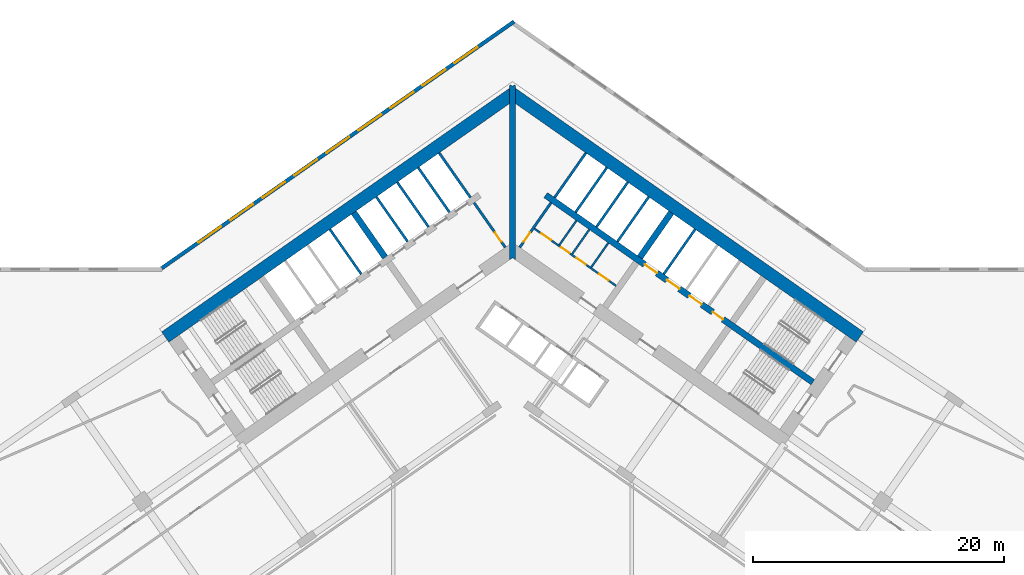
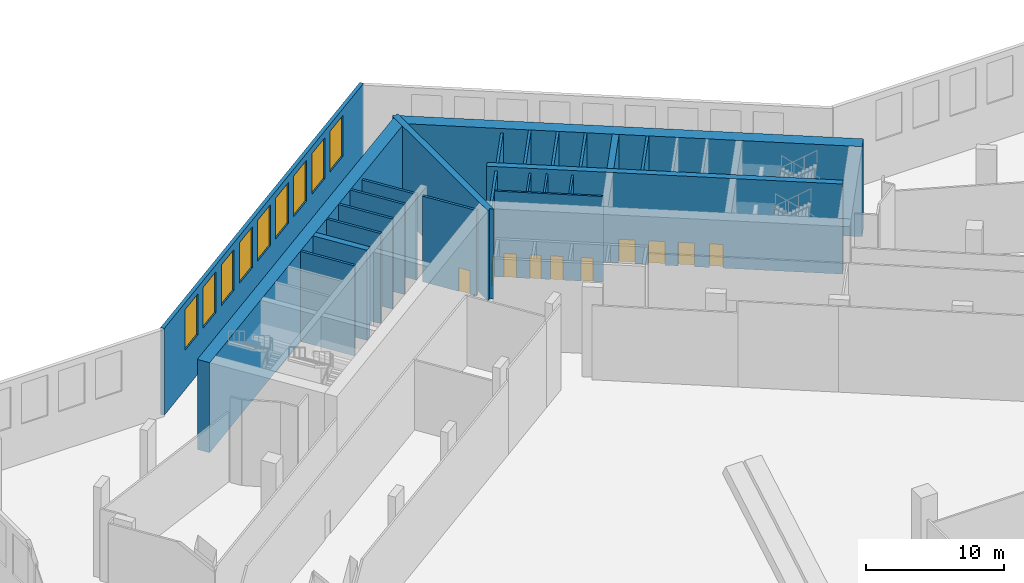
# One storey, part 11 of 27: 23 walls, 10 doors, 9 windows, 19 openings.
"""IFC4 building model written with IfcOpenShell, lengths in metres."""

from ifc_helpers import new_model, si_unit, direction, frame, frame_2d, origin, place, context, subcontext, project, spatial, polyline, rectangle, outline, extrude, material, layer, layer_set, type_object, element, fill, save


model = new_model("IFC4")

# Units and contexts
model_context = context("Model", 3, precision=1e-05, world=origin(), true_north=direction((0.0, 1.0)))
body_context = subcontext(model_context, "Body", "Model", "MODEL_VIEW")
ifc_project = project(units=[si_unit("LENGTHUNIT", "METRE"), si_unit("AREAUNIT", "SQUARE_METRE"), si_unit("VOLUMEUNIT", "CUBIC_METRE"), si_unit("PLANEANGLEUNIT", "RADIAN"), si_unit("MASSUNIT", "GRAM", prefix="KILO")], contexts=[model_context])

# Site, building, storey
site_placement = place(None, origin())
site = spatial("IfcSite", under=ifc_project, at=site_placement, CompositionType="ELEMENT")
building_placement = place(site_placement, origin())
building = spatial("IfcBuilding", under=site, at=building_placement, Name="Tel Ilan Convention Tower", CompositionType="ELEMENT")
storey_placement = place(building_placement, frame((0.0, 0.0, 18.0)))
storey = spatial("IfcBuildingStorey", under=building, at=storey_placement, Name="L02", CompositionType="ELEMENT", Elevation=18.0)

# Wall, openings, doors
ifc_material_1 = material(Name="Gypsum Plasterboard on Steel Stud", Category="steel")
ifc_layer_1 = layer(ifc_material_1, 0.14990234375)
ifc_layer_set_1 = layer_set([ifc_layer_1], Name="Core Room Partition Wall 150 mm EI 60")
wall_type_1 = type_object("IfcWallType", Name="Core Room Partition Wall 150 mm EI 60", PredefinedType="PARTITIONING", material=ifc_layer_set_1)
wall_1_placement = place(storey_placement, frame((1.7451171875, 1.097412109375, 0.0), z_axis=(0.0, 0.0, 1.0), x_axis=(0.819156890572, -0.573569515079, 0.0)))
wall_1 = element("IfcWall", 1, at=wall_1_placement, inside=storey, type_object=wall_type_1, Name="L02 core wall wc-h1", PredefinedType="PARTITIONING", context=body_context, shape_type="SweptSolid", body=[
    extrude(rectangle(XDim=7.949951171875, YDim=0.14990234375, at=frame_2d((3.97509765625, 0.0))), origin(), (0.0, 0.0, 1.0), 7.60009765625),
])
opening_1_placement = place(wall_1_placement, frame((0.699951171875, 0.0, 0.0)))
opening_1 = element("IfcOpeningElement", 2, at=opening_1_placement, cuts=wall_1, Name="Opening CD0510", PredefinedType="OPENING", context=body_context, shape_type="SweptSolid", body=[
    extrude(rectangle(XDim=0.89990234375, YDim=2.10009765625, at=frame_2d((0.449951171875, 1.050048828125))), frame((0.0, 0.0849609375, 0.0), z_axis=(0.0, -1.0, 0.0), x_axis=(1.0, 0.0, 0.0)), (0.0, 0.0, 1.0), 0.169921875),
])
opening_2_placement = place(wall_1_placement, frame((2.60009765625, 0.0, 0.0)))
opening_2 = element("IfcOpeningElement", 3, at=opening_2_placement, cuts=wall_1, Name="Opening CD0509", PredefinedType="OPENING", context=body_context, shape_type="SweptSolid", body=[
    extrude(rectangle(XDim=0.800048828125, YDim=2.10009765625, at=frame_2d((0.39990234375, 1.050048828125))), frame((0.0, 0.0849609375, 0.0), z_axis=(0.0, -1.0, 0.0), x_axis=(1.0, 0.0, 0.0)), (0.0, 0.0, 1.0), 0.169921875),
])
opening_3_placement = place(wall_1_placement, frame((4.10009765625, 0.0, 0.0)))
opening_3 = element("IfcOpeningElement", 4, at=opening_3_placement, cuts=wall_1, Name="Opening CD0508", PredefinedType="OPENING", context=body_context, shape_type="SweptSolid", body=[
    extrude(rectangle(XDim=0.89990234375, YDim=2.10009765625, at=frame_2d((0.449951171875, 1.050048828125))), frame((0.0, 0.0849609375, 0.0), z_axis=(0.0, -1.0, 0.0), x_axis=(1.0, 0.0, 0.0)), (0.0, 0.0, 1.0), 0.169921875),
])
opening_4_placement = place(wall_1_placement, frame((6.300048828125, 0.0, 0.0)))
opening_4 = element("IfcOpeningElement", 5, at=opening_4_placement, cuts=wall_1, Name="Opening CD0511", PredefinedType="OPENING", context=body_context, shape_type="SweptSolid", body=[
    extrude(rectangle(XDim=0.89990234375, YDim=2.10009765625, at=frame_2d((0.449951171875, 1.050048828125))), frame((0.0, 0.0849609375, 0.0), z_axis=(0.0, -1.0, 0.0), x_axis=(1.0, 0.0, 0.0)), (0.0, 0.0, 1.0), 0.169921875),
])
ifc_material_2 = material(Name="Galvanised Steel Door Leaf", Category="steel")
door_type_1 = type_object("IfcDoorType", Name="Store Door 800 x 2100 FD60", OperationType="NOTDEFINED", PredefinedType="DOOR", material=ifc_material_2)
door_1_placement = place(opening_2_placement, origin())
door_1 = element("IfcDoor", 6, at=door_1_placement, inside=storey, type_object=door_type_1, Name="Cleaner's store door", OperationType="SINGLE_SWING_RIGHT", OverallHeight=2.10009765625, OverallWidth=0.800048828125, PredefinedType="DOOR", context=body_context, shape_type="SweptSolid", body=[
    extrude(rectangle(XDim=0.800048828125, YDim=2.10009765625, at=frame_2d((0.39990234375, 1.050048828125))), frame((0.0, 0.02490234375, 0.0), z_axis=(0.0, -1.0, 0.0), x_axis=(1.0, 0.0, 0.0)), (0.0, 0.0, 1.0), 0.050048828125),
])
fill(opening_2, door_1)
ifc_material_3 = material(Name="Laminated Timber Door Leaf", Category="wood")
door_type_2 = type_object("IfcDoorType", Name="Toilet Door 900 x 2100 FD30S", OperationType="NOTDEFINED", PredefinedType="DOOR", material=ifc_material_3)
door_2_placement = place(opening_1_placement, origin())
door_2 = element("IfcDoor", 7, at=door_2_placement, inside=storey, type_object=door_type_2, Name="Men's WC door", OperationType="SINGLE_SWING_RIGHT", OverallHeight=2.10009765625, OverallWidth=0.89990234375, PredefinedType="DOOR", context=body_context, shape_type="SweptSolid", body=[
    extrude(rectangle(XDim=0.89990234375, YDim=2.10009765625, at=frame_2d((0.449951171875, 1.050048828125))), frame((0.0, 0.02490234375, 0.0), z_axis=(0.0, -1.0, 0.0), x_axis=(1.0, 0.0, 0.0)), (0.0, 0.0, 1.0), 0.050048828125),
])
fill(opening_1, door_2)
door_3_placement = place(opening_3_placement, origin())
door_3 = element("IfcDoor", 8, at=door_3_placement, inside=storey, type_object=door_type_2, Name="Accessible WC door", OperationType="SINGLE_SWING_RIGHT", OverallHeight=2.10009765625, OverallWidth=0.89990234375, PredefinedType="DOOR", context=body_context, shape_type="SweptSolid", body=[
    extrude(rectangle(XDim=0.89990234375, YDim=2.10009765625, at=frame_2d((0.449951171875, 1.050048828125))), frame((0.0, 0.02490234375, 0.0), z_axis=(0.0, -1.0, 0.0), x_axis=(1.0, 0.0, 0.0)), (0.0, 0.0, 1.0), 0.050048828125),
])
fill(opening_3, door_3)
door_4_placement = place(opening_4_placement, origin())
door_4 = element("IfcDoor", 9, at=door_4_placement, inside=storey, type_object=door_type_2, Name="Women's WC door", OperationType="SINGLE_SWING_RIGHT", OverallHeight=2.10009765625, OverallWidth=0.89990234375, PredefinedType="DOOR", context=body_context, shape_type="SweptSolid", body=[
    extrude(rectangle(XDim=0.89990234375, YDim=2.10009765625, at=frame_2d((0.449951171875, 1.050048828125))), frame((0.0, 0.02490234375, 0.0), z_axis=(0.0, -1.0, 0.0), x_axis=(1.0, 0.0, 0.0)), (0.0, 0.0, 1.0), 0.050048828125),
])
fill(opening_4, door_4)

# Walls
for number, where, z_axis, x_axis, name in (
    (10, (3.733642578125, -0.203369140625, 0.0), (0.0, 0.0, 1.0), (0.573579618003, 0.819149816463, 0.0), "L02 core wall wc-v0"),
    (11, (4.757568359375, -0.92041015625, 0.0), (0.0, 0.0, 1.0), (0.573579618003, 0.819149816463, 0.0), "L02 core wall wc-v1"),
    (12, (6.27294921875, -1.9814453125, 0.0), (0.0, 0.0, 1.0), (0.573579618003, 0.819149816463, 0.0), "L02 core wall wc-v2"),
):
    element("IfcWall", number, at=place(storey_placement, frame(where, z_axis=z_axis, x_axis=x_axis)), inside=storey, type_object=wall_type_1, Name=name, PredefinedType="PARTITIONING", context=body_context, shape_type="SweptSolid", body=[
        extrude(rectangle(XDim=2.375, YDim=0.14990234375, at=frame_2d((1.1875, 0.0))), origin(), (0.0, 0.0, 1.0), 7.60009765625),
    ])

# Wall, opening, door
ifc_material_4 = material(Name="Concrete C30/37", Category="concrete")
ifc_layer_2 = layer(ifc_material_4, 0.199951171875)
ifc_layer_set_2 = layer_set([ifc_layer_2], Name="Core Service Room Wall 200 mm C30/37")
wall_type_2 = type_object("IfcWallType", Name="Core Service Room Wall 200 mm C30/37", PredefinedType="SOLIDWALL", material=ifc_layer_set_2)
wall_2_placement = place(storey_placement, frame((-0.573486328125, -0.401611328125, 0.0), z_axis=(0.0, 0.0, 1.0), x_axis=(-0.57356780395, 0.819158088694, 0.0)))
wall_2 = element("IfcWall", 13, at=wall_2_placement, inside=storey, type_object=wall_type_2, Name="L02 core wall apex-W", PredefinedType="SOLIDWALL", context=body_context, shape_type="SweptSolid", body=[
    extrude(rectangle(XDim=4.35009765625, YDim=0.199951171875, at=frame_2d((2.175048828125, 0.0))), origin(), (0.0, 0.0, 1.0), 7.60009765625),
])
opening_5_placement = place(wall_2_placement, frame((0.550048828125, 0.0, 0.0)))
opening_5 = element("IfcOpeningElement", 14, at=opening_5_placement, cuts=wall_2, Name="Opening CD0502", PredefinedType="OPENING", context=body_context, shape_type="SweptSolid", body=[
    extrude(rectangle(XDim=0.89990234375, YDim=2.10009765625, at=frame_2d((0.449951171875, 1.050048828125))), frame((0.0, 0.10986328125, 0.0), z_axis=(0.0, -1.0, 0.0), x_axis=(1.0, 0.0, 0.0)), (0.0, 0.0, 1.0), 0.219970703125),
])
ifc_material_5 = material(Name="Galvanised Steel Door Leaf", Category="steel")
door_type_3 = type_object("IfcDoorType", Name="Service Room Door 900 x 2100 FD60", OperationType="NOTDEFINED", PredefinedType="DOOR", material=ifc_material_5)
door_5_placement = place(opening_5_placement, origin())
door_5 = element("IfcDoor", 15, at=door_5_placement, inside=storey, type_object=door_type_3, Name="Riser Room door", OperationType="SINGLE_SWING_RIGHT", OverallHeight=2.10009765625, OverallWidth=0.89990234375, PredefinedType="DOOR", context=body_context, shape_type="SweptSolid", body=[
    extrude(rectangle(XDim=0.89990234375, YDim=2.10009765625, at=frame_2d((0.449951171875, 1.050048828125))), frame((0.0, 0.02490234375, 0.0), z_axis=(0.0, -1.0, 0.0), x_axis=(1.0, 0.0, 0.0)), (0.0, 0.0, 1.0), 0.050048828125),
])
fill(opening_5, door_5)

# Wall
wall_3_placement = place(storey_placement, frame((-3.355224609375, 3.5712890625, 0.0), z_axis=(0.0, 0.0, 1.0), x_axis=(-0.57356780395, 0.819158088694, 0.0)))
element("IfcWall", 16, at=wall_3_placement, inside=storey, type_object=wall_type_2, Name="L02 core wall apex-W-b", PredefinedType="SOLIDWALL", context=body_context, shape_type="SweptSolid", body=[
    extrude(rectangle(XDim=4.35009765625, YDim=0.199951171875, at=frame_2d((2.175048828125, 0.0))), origin(), (0.0, 0.0, 1.0), 7.60009765625),
])

# Wall, opening, door
wall_4_placement = place(storey_placement, frame((0.573486328125, -0.401611328125, 0.0), z_axis=(0.0, 0.0, 1.0), x_axis=(0.57356780395, 0.819158088694, 0.0)))
wall_4 = element("IfcWall", 17, at=wall_4_placement, inside=storey, type_object=wall_type_2, Name="L02 core wall apex-E", PredefinedType="SOLIDWALL", context=body_context, shape_type="SweptSolid", body=[
    extrude(rectangle(XDim=4.35009765625, YDim=0.199951171875, at=frame_2d((2.175048828125, 0.0))), origin(), (0.0, 0.0, 1.0), 7.60009765625),
])
opening_6_placement = place(wall_4_placement, frame((0.550048828125, 0.0, 0.0)))
opening_6 = element("IfcOpeningElement", 18, at=opening_6_placement, cuts=wall_4, Name="Opening CD0501", PredefinedType="OPENING", context=body_context, shape_type="SweptSolid", body=[
    extrude(rectangle(XDim=0.89990234375, YDim=2.10009765625, at=frame_2d((0.449951171875, 1.050048828125))), frame((0.0, 0.10986328125, 0.0), z_axis=(0.0, -1.0, 0.0), x_axis=(1.0, 0.0, 0.0)), (0.0, 0.0, 1.0), 0.219970703125),
])
door_6_placement = place(opening_6_placement, origin())
door_6 = element("IfcDoor", 19, at=door_6_placement, inside=storey, type_object=door_type_3, Name="Electrical Room door", OperationType="SINGLE_SWING_RIGHT", OverallHeight=2.10009765625, OverallWidth=0.89990234375, PredefinedType="DOOR", context=body_context, shape_type="SweptSolid", body=[
    extrude(rectangle(XDim=0.89990234375, YDim=2.10009765625, at=frame_2d((0.449951171875, 1.050048828125))), frame((0.0, 0.02490234375, 0.0), z_axis=(0.0, -1.0, 0.0), x_axis=(1.0, 0.0, 0.0)), (0.0, 0.0, 1.0), 0.050048828125),
])
fill(opening_6, door_6)

# Walls
wall_5_placement = place(storey_placement, frame((3.355224609375, 3.5712890625, 0.0), z_axis=(0.0, 0.0, 1.0), x_axis=(0.57356780395, 0.819158088694, 0.0)))
element("IfcWall", 20, at=wall_5_placement, inside=storey, type_object=wall_type_2, Name="L02 core wall apex-E-b", PredefinedType="SOLIDWALL", context=body_context, shape_type="SweptSolid", body=[
    extrude(rectangle(XDim=4.35009765625, YDim=0.199951171875, at=frame_2d((2.175048828125, 0.0))), origin(), (0.0, 0.0, 1.0), 7.60009765625),
])
ifc_material_6 = material(Name="Concrete C60/75", Category="concrete")
ifc_layer_3 = layer(ifc_material_6, 1.0)
ifc_layer_set_3 = layer_set([ifc_layer_3], Name="Core Shear Wall 1000 mm C60/75")
wall_type_3 = type_object("IfcWallType", Name="Core Shear Wall 1000 mm C60/75", PredefinedType="SHEAR", material=ifc_layer_set_3)
wall_6_placement = place(storey_placement, frame((0.036865234375, 11.8671875, 0.0), z_axis=(0.0, 0.0, 1.0), x_axis=(-0.819155306259, -0.573571777746, 0.0)))
element("IfcWall", 21, at=wall_6_placement, inside=storey, type_object=wall_type_3, Name="L02 core wall W-back", PredefinedType="SHEAR", context=body_context, shape_type="SweptSolid", body=[
    extrude(outline(polyline([(33.8369140625, 0.5), (0.7001953125, 0.499755859375), (0.0, -0.5), (33.8369140625, -0.5), (33.8369140625, 0.5)])), origin(), (0.0, 0.0, 1.0), 8.0),
])
wall_7_placement = place(storey_placement, frame((-0.036865234375, 11.8671875, 0.0), z_axis=(0.0, 0.0, 1.0), x_axis=(0.819155306259, -0.573571777746, 0.0)))
element("IfcWall", 22, at=wall_7_placement, inside=storey, type_object=wall_type_3, Name="L02 core wall E-back", PredefinedType="SHEAR", context=body_context, shape_type="SweptSolid", body=[
    extrude(outline(polyline([(33.8369140625, 0.5), (0.0, 0.5), (0.7001953125, -0.499755859375), (33.8369140625, -0.5), (33.8369140625, 0.5)])), origin(), (0.0, 0.0, 1.0), 8.0),
])
ifc_material_7 = material(Name="Concrete C60/75", Category="concrete")
ifc_layer_4 = layer(ifc_material_7, 0.5)
ifc_layer_set_4 = layer_set([ifc_layer_4], Name="Core Shear Wall 500 mm C60/75")
wall_type_4 = type_object("IfcWallType", Name="Core Shear Wall 500 mm C60/75", PredefinedType="SHEAR", material=ifc_layer_set_4)
for number, where, z_axis, x_axis, name in (
    (23, (-10.154296875, -1.189208984375, 0.0), (0.0, 0.0, 1.0), (-0.573594173421, 0.819139624372, 0.0), "L02 core wall W-cross1-2"),
    (24, (10.154296875, -1.189208984375, 0.0), (0.0, 0.0, 1.0), (0.573594173421, 0.819139624372, 0.0), "L02 core wall E-cross1-2"),
):
    element("IfcWall", number, at=place(storey_placement, frame(where, z_axis=z_axis, x_axis=x_axis)), inside=storey, type_object=wall_type_4, Name=name, PredefinedType="SHEAR", context=body_context, shape_type="SweptSolid", body=[
        extrude(outline(polyline([(4.349853515625, -0.25), (4.349853515625, 0.25), (-0.000244140625, 0.25), (-0.000244140625, -0.25), (4.349853515625, -0.25)])), origin(), (0.0, 0.0, 1.0), 8.0),
    ])

# Wall, openings, doors
wall_8_placement = place(storey_placement, frame((2.638427734375, 3.76806640625, 0.0), z_axis=(0.0, 0.0, 1.0), x_axis=(0.819148977158, -0.573580816643, 0.0)))
wall_8 = element("IfcWall", 25, at=wall_8_placement, inside=storey, type_object=wall_type_4, Name="L02 core wall E-spine", PredefinedType="SHEAR", context=body_context, shape_type="SweptSolid", body=[
    extrude(outline(polyline([(0.0, 0.25), (0.0, -0.25), (26.0, -0.249755859375), (26.0, 0.250244140625), (0.0, 0.25)])), origin(), (0.0, 0.0, 1.0), 8.0),
])
opening_7_placement = place(wall_8_placement, frame((9.637451171875, 0.0, 0.0)))
opening_7 = element("IfcOpeningElement", 26, at=opening_7_placement, cuts=wall_8, Name="Opening LD0501", PredefinedType="OPENING", context=body_context, shape_type="SweptSolid", body=[
    extrude(rectangle(XDim=1.199951171875, YDim=2.10009765625, at=frame_2d((0.60009765625, 1.050048828125))), frame((0.0, 0.260009765625, 0.0), z_axis=(0.0, -1.0, 0.0), x_axis=(1.0, 0.0, 0.0)), (0.0, 0.0, 1.0), 0.52001953125),
])
opening_8_placement = place(wall_8_placement, frame((11.8125, 0.0, 0.0)))
opening_8 = element("IfcOpeningElement", 27, at=opening_8_placement, cuts=wall_8, Name="Opening LD0502", PredefinedType="OPENING", context=body_context, shape_type="SweptSolid", body=[
    extrude(rectangle(XDim=1.199951171875, YDim=2.10009765625, at=frame_2d((0.60009765625, 1.050048828125))), frame((0.0, 0.260009765625, 0.0), z_axis=(0.0, -1.0, 0.0), x_axis=(1.0, 0.0, 0.0)), (0.0, 0.0, 1.0), 0.52001953125),
])
opening_9_placement = place(wall_8_placement, frame((13.987548828125, 0.0, 0.0)))
opening_9 = element("IfcOpeningElement", 28, at=opening_9_placement, cuts=wall_8, Name="Opening LD0503", PredefinedType="OPENING", context=body_context, shape_type="SweptSolid", body=[
    extrude(rectangle(XDim=1.199951171875, YDim=2.10009765625, at=frame_2d((0.60009765625, 1.050048828125))), frame((0.0, 0.260009765625, 0.0), z_axis=(0.0, -1.0, 0.0), x_axis=(1.0, 0.0, 0.0)), (0.0, 0.0, 1.0), 0.52001953125),
])
opening_10_placement = place(wall_8_placement, frame((16.262451171875, 0.0, 0.0)))
opening_10 = element("IfcOpeningElement", 29, at=opening_10_placement, cuts=wall_8, Name="Opening CD0507", PredefinedType="OPENING", context=body_context, shape_type="SweptSolid", body=[
    extrude(rectangle(XDim=1.0, YDim=2.10009765625, at=frame_2d((0.5, 1.050048828125))), frame((0.0, 0.260009765625, 0.0), z_axis=(0.0, -1.0, 0.0), x_axis=(1.0, 0.0, 0.0)), (0.0, 0.0, 1.0), 0.52001953125),
])
ifc_material_8 = material(Name="Stainless Steel Sliding Door Leaf", Category="steel")
door_type_4 = type_object("IfcDoorType", Name="Lift Landing Door 1200 x 2100 FD120", OperationType="NOTDEFINED", PredefinedType="DOOR", material=ifc_material_8)
door_7_placement = place(opening_7_placement, origin())
door_7 = element("IfcDoor", 30, at=door_7_placement, inside=storey, type_object=door_type_4, Name="Lift FL1 landing door", OperationType="SLIDING_TO_LEFT", OverallHeight=2.10009765625, OverallWidth=1.199951171875, PredefinedType="DOOR", context=body_context, shape_type="SweptSolid", body=[
    extrude(rectangle(XDim=1.199951171875, YDim=2.10009765625, at=frame_2d((0.60009765625, 1.050048828125))), frame((0.0, 0.02490234375, 0.0), z_axis=(0.0, -1.0, 0.0), x_axis=(1.0, 0.0, 0.0)), (0.0, 0.0, 1.0), 0.050048828125),
])
fill(opening_7, door_7)
door_8_placement = place(opening_8_placement, origin())
door_8 = element("IfcDoor", 31, at=door_8_placement, inside=storey, type_object=door_type_4, Name="Lift FL2 landing door", OperationType="SLIDING_TO_RIGHT", OverallHeight=2.10009765625, OverallWidth=1.199951171875, PredefinedType="DOOR", context=body_context, shape_type="SweptSolid", body=[
    extrude(rectangle(XDim=1.199951171875, YDim=2.10009765625, at=frame_2d((0.60009765625, 1.050048828125))), frame((0.0, 0.02490234375, 0.0), z_axis=(0.0, -1.0, 0.0), x_axis=(1.0, 0.0, 0.0)), (0.0, 0.0, 1.0), 0.050048828125),
])
fill(opening_8, door_8)
door_9_placement = place(opening_9_placement, origin())
door_9 = element("IfcDoor", 32, at=door_9_placement, inside=storey, type_object=door_type_4, Name="Lift FL3 landing door", OperationType="SLIDING_TO_LEFT", OverallHeight=2.10009765625, OverallWidth=1.199951171875, PredefinedType="DOOR", context=body_context, shape_type="SweptSolid", body=[
    extrude(rectangle(XDim=1.199951171875, YDim=2.10009765625, at=frame_2d((0.60009765625, 1.050048828125))), frame((0.0, 0.02490234375, 0.0), z_axis=(0.0, -1.0, 0.0), x_axis=(1.0, 0.0, 0.0)), (0.0, 0.0, 1.0), 0.050048828125),
])
fill(opening_9, door_9)
ifc_material_9 = material(Name="Galvanised Steel Door Leaf", Category="steel")
door_type_5 = type_object("IfcDoorType", Name="Service Room Door 1000 x 2100 FD60", OperationType="NOTDEFINED", PredefinedType="DOOR", material=ifc_material_9)
door_10_placement = place(opening_10_placement, origin())
door_10 = element("IfcDoor", 33, at=door_10_placement, inside=storey, type_object=door_type_5, Name="Plant Room door", OperationType="SINGLE_SWING_RIGHT", OverallHeight=2.10009765625, OverallWidth=1.0, PredefinedType="DOOR", context=body_context, shape_type="SweptSolid", body=[
    extrude(rectangle(XDim=1.0, YDim=2.10009765625, at=frame_2d((0.5, 1.050048828125))), frame((0.0, 0.02490234375, 0.0), z_axis=(0.0, -1.0, 0.0), x_axis=(1.0, 0.0, 0.0)), (0.0, 0.0, 1.0), 0.050048828125),
])
fill(opening_10, door_10)

# Walls
wall_9_placement = place(storey_placement, frame((0.0, -1.395751953125, 0.0), z_axis=(0.0, 0.0, 1.0), x_axis=(0.0, 1.0, 0.0)))
element("IfcWall", 34, at=wall_9_placement, inside=storey, type_object=wall_type_4, Name="L02 core wall K-central", PredefinedType="SHEAR", context=body_context, shape_type="SweptSolid", body=[
    extrude(outline(polyline([(0.0, -0.25), (0.175048828125, -0.25), (1.220703125, -0.25), (12.451904296875, -0.25), (13.84765625, -0.25), (13.85693359375, -0.25), (13.96826171875, -0.172119140625), (13.84765625, 0.0), (13.96826171875, 0.172119140625), (13.85693359375, 0.25), (13.84765625, 0.25), (12.451904296875, 0.25), (1.220703125, 0.25), (0.175048828125, 0.25), (0.0, 0.25), (0.175048828125, 0.0), (0.0, -0.25)])), origin(), (0.0, 0.0, 1.0), 8.0),
])
ifc_material_10 = material(Name="Concrete C30/37", Category="concrete")
ifc_layer_5 = layer(ifc_material_10, 0.199951171875)
ifc_layer_set_5 = layer_set([ifc_layer_5], Name="Lift Shaft Wall 200 mm C30/37")
wall_type_5 = type_object("IfcWallType", Name="Lift Shaft Wall 200 mm C30/37", PredefinedType="SOLIDWALL", material=ifc_layer_set_5)
wall_10_placement = place(storey_placement, frame((-5.0244140625, 2.402587890625, 0.0), z_axis=(0.0, 0.0, 1.0), x_axis=(-0.573530143085, 0.819184457233, 0.0)))
element("IfcWall", 35, at=wall_10_placement, inside=storey, type_object=wall_type_5, Name="L02 core wall bank-W1-p0", PredefinedType="SOLIDWALL", context=body_context, shape_type="SweptSolid", body=[
    extrude(rectangle(XDim=4.35009765625, YDim=0.199951171875, at=frame_2d((2.175048828125, 0.0))), origin(), (0.0, 0.0, 1.0), 8.0),
])
for number, where, z_axis, x_axis, name in (
    (36, (-6.693359375, 1.234130859375, 0.0), (0.0, 0.0, 1.0), (-0.573594173421, 0.819139624372, 0.0), "L02 core wall bank-W1-p1"),
    (37, (-8.3623046875, 0.0654296875, 0.0), (0.0, 0.0, 1.0), (-0.573594173421, 0.819139624372, 0.0), "L02 core wall bank-W1-p2"),
    (38, (-12.05859375, -2.52294921875, 0.0), (0.0, 0.0, 1.0), (-0.573594173421, 0.819139624372, 0.0), "L02 core wall bank-W2-p0"),
):
    element("IfcWall", number, at=place(storey_placement, frame(where, z_axis=z_axis, x_axis=x_axis)), inside=storey, type_object=wall_type_5, Name=name, PredefinedType="SOLIDWALL", context=body_context, shape_type="SweptSolid", body=[
        extrude(rectangle(XDim=4.349853515625, YDim=0.199951171875, at=frame_2d((2.1748046875, 0.0))), origin(), (0.0, 0.0, 1.0), 8.0),
    ])
wall_11_placement = place(storey_placement, frame((5.0244140625, 2.402587890625, 0.0), z_axis=(0.0, 0.0, 1.0), x_axis=(0.573530143085, 0.819184457233, 0.0)))
element("IfcWall", 39, at=wall_11_placement, inside=storey, type_object=wall_type_5, Name="L02 core wall bank-E1-p0", PredefinedType="SOLIDWALL", context=body_context, shape_type="SweptSolid", body=[
    extrude(rectangle(XDim=4.35009765625, YDim=0.199951171875, at=frame_2d((2.175048828125, 0.0))), origin(), (0.0, 0.0, 1.0), 8.0),
])
for number, where, z_axis, x_axis, name in (
    (40, (6.693359375, 1.234130859375, 0.0), (0.0, 0.0, 1.0), (0.573594173421, 0.819139624372, 0.0), "L02 core wall bank-E1-p1"),
    (41, (8.3623046875, 0.0654296875, 0.0), (0.0, 0.0, 1.0), (0.573594173421, 0.819139624372, 0.0), "L02 core wall bank-E1-p2"),
    (42, (12.05859375, -2.52294921875, 0.0), (0.0, 0.0, 1.0), (0.573594173421, 0.819139624372, 0.0), "L02 core wall bank-E2-p0"),
):
    element("IfcWall", number, at=place(storey_placement, frame(where, z_axis=z_axis, x_axis=x_axis)), inside=storey, type_object=wall_type_5, Name=name, PredefinedType="SOLIDWALL", context=body_context, shape_type="SweptSolid", body=[
        extrude(rectangle(XDim=4.349853515625, YDim=0.199951171875, at=frame_2d((2.1748046875, 0.0))), origin(), (0.0, 0.0, 1.0), 8.0),
    ])

# Wall, openings, windows
ifc_material_11 = material(Name="Bronze aluminium cladding panel on insulated steel frame", Category="steel")
ifc_layer_6 = layer(ifc_material_11, 0.300048828125)
ifc_layer_set_6 = layer_set([ifc_layer_6], Name="PODIUM CLADDING WALL 300")
wall_type_6 = type_object("IfcWallType", Name="PODIUM CLADDING WALL 300", PredefinedType="SOLIDWALL", material=ifc_layer_set_6)
wall_12_placement = place(storey_placement, frame((-27.966064453125, -2.06396484375, 0.0), z_axis=(0.0, 0.0, 1.0), x_axis=(0.819149627982, 0.57357988718, 0.0)))
wall_12 = element("IfcWall", 43, at=wall_12_placement, inside=storey, type_object=wall_type_6, Name="Podium cladding wall", PredefinedType="SOLIDWALL", context=body_context, shape_type="SweptSolid", body=[
    extrude(rectangle(XDim=34.290283203125, YDim=0.300048828125, at=frame_2d((17.14501953125, 0.0))), origin(), (0.0, 0.0, 1.0), 7.719970703125),
])
opening_11_placement = place(wall_12_placement, frame((3.5673828125, 0.0, 3.5)))
opening_11 = element("IfcOpeningElement", 44, at=opening_11_placement, cuts=wall_12, Name="Opening W-05.031", PredefinedType="OPENING", context=body_context, shape_type="SweptSolid", body=[
    extrude(rectangle(XDim=2.21728515625, YDim=3.6201171875, at=frame_2d((1.108642578125, 1.81005859375))), frame((0.0, 0.159912109375, 0.0), z_axis=(0.0, -1.0, 0.0), x_axis=(1.0, 0.0, 0.0)), (0.0, 0.0, 1.0), 0.320068359375),
])
opening_12_placement = place(wall_12_placement, frame((6.6845703125, 0.0, 3.5)))
opening_12 = element("IfcOpeningElement", 45, at=opening_12_placement, cuts=wall_12, Name="Opening W-05.032", PredefinedType="OPENING", context=body_context, shape_type="SweptSolid", body=[
    extrude(rectangle(XDim=2.21728515625, YDim=3.6201171875, at=frame_2d((1.108642578125, 1.81005859375))), frame((0.0, 0.159912109375, 0.0), z_axis=(0.0, -1.0, 0.0), x_axis=(1.0, 0.0, 0.0)), (0.0, 0.0, 1.0), 0.320068359375),
])
opening_13_placement = place(wall_12_placement, frame((9.802001953125, 0.0, 3.5)))
opening_13 = element("IfcOpeningElement", 46, at=opening_13_placement, cuts=wall_12, Name="Opening W-05.033", PredefinedType="OPENING", context=body_context, shape_type="SweptSolid", body=[
    extrude(rectangle(XDim=2.21728515625, YDim=3.6201171875, at=frame_2d((1.108642578125, 1.81005859375))), frame((0.0, 0.159912109375, 0.0), z_axis=(0.0, -1.0, 0.0), x_axis=(1.0, 0.0, 0.0)), (0.0, 0.0, 1.0), 0.320068359375),
])
opening_14_placement = place(wall_12_placement, frame((12.919189453125, 0.0, 3.5)))
opening_14 = element("IfcOpeningElement", 47, at=opening_14_placement, cuts=wall_12, Name="Opening W-05.034", PredefinedType="OPENING", context=body_context, shape_type="SweptSolid", body=[
    extrude(rectangle(XDim=2.21728515625, YDim=3.6201171875, at=frame_2d((1.108642578125, 1.81005859375))), frame((0.0, 0.159912109375, 0.0), z_axis=(0.0, -1.0, 0.0), x_axis=(1.0, 0.0, 0.0)), (0.0, 0.0, 1.0), 0.320068359375),
])
opening_15_placement = place(wall_12_placement, frame((16.03662109375, 0.0, 3.5)))
opening_15 = element("IfcOpeningElement", 48, at=opening_15_placement, cuts=wall_12, Name="Opening W-05.035", PredefinedType="OPENING", context=body_context, shape_type="SweptSolid", body=[
    extrude(rectangle(XDim=2.21728515625, YDim=3.6201171875, at=frame_2d((1.108642578125, 1.81005859375))), frame((0.0, 0.159912109375, 0.0), z_axis=(0.0, -1.0, 0.0), x_axis=(1.0, 0.0, 0.0)), (0.0, 0.0, 1.0), 0.320068359375),
])
opening_16_placement = place(wall_12_placement, frame((19.15380859375, 0.0, 3.5)))
opening_16 = element("IfcOpeningElement", 49, at=opening_16_placement, cuts=wall_12, Name="Opening W-05.036", PredefinedType="OPENING", context=body_context, shape_type="SweptSolid", body=[
    extrude(rectangle(XDim=2.21728515625, YDim=3.6201171875, at=frame_2d((1.108642578125, 1.81005859375))), frame((0.0, 0.159912109375, 0.0), z_axis=(0.0, -1.0, 0.0), x_axis=(1.0, 0.0, 0.0)), (0.0, 0.0, 1.0), 0.320068359375),
])
opening_17_placement = place(wall_12_placement, frame((22.27099609375, 0.0, 3.5)))
opening_17 = element("IfcOpeningElement", 50, at=opening_17_placement, cuts=wall_12, Name="Opening W-05.037", PredefinedType="OPENING", context=body_context, shape_type="SweptSolid", body=[
    extrude(rectangle(XDim=2.21728515625, YDim=3.6201171875, at=frame_2d((1.108642578125, 1.81005859375))), frame((0.0, 0.159912109375, 0.0), z_axis=(0.0, -1.0, 0.0), x_axis=(1.0, 0.0, 0.0)), (0.0, 0.0, 1.0), 0.320068359375),
])
opening_18_placement = place(wall_12_placement, frame((25.388427734375, 0.0, 3.5)))
opening_18 = element("IfcOpeningElement", 51, at=opening_18_placement, cuts=wall_12, Name="Opening W-05.038", PredefinedType="OPENING", context=body_context, shape_type="SweptSolid", body=[
    extrude(rectangle(XDim=2.21728515625, YDim=3.6201171875, at=frame_2d((1.108642578125, 1.81005859375))), frame((0.0, 0.159912109375, 0.0), z_axis=(0.0, -1.0, 0.0), x_axis=(1.0, 0.0, 0.0)), (0.0, 0.0, 1.0), 0.320068359375),
])
opening_19_placement = place(wall_12_placement, frame((28.505615234375, 0.0, 3.5)))
opening_19 = element("IfcOpeningElement", 52, at=opening_19_placement, cuts=wall_12, Name="Opening W-05.039", PredefinedType="OPENING", context=body_context, shape_type="SweptSolid", body=[
    extrude(rectangle(XDim=2.21728515625, YDim=3.6201171875, at=frame_2d((1.108642578125, 1.81005859375))), frame((0.0, 0.159912109375, 0.0), z_axis=(0.0, -1.0, 0.0), x_axis=(1.0, 0.0, 0.0)), (0.0, 0.0, 1.0), 0.320068359375),
])
ifc_material_12 = material(Name="Aluminium framed glazing, bronze anodised, tinted glass", Category="aluminium")
window_type = type_object("IfcWindowType", Name="PODIUM WINDOW 2217x3620", PartitioningType="SINGLE_PANEL", PredefinedType="WINDOW", material=ifc_material_12)
window_1_placement = place(opening_11_placement, origin())
window_1 = element("IfcWindow", 53, at=window_1_placement, inside=storey, type_object=window_type, Name="Podium window", OverallHeight=3.6201171875, OverallWidth=2.21728515625, PartitioningType="SINGLE_PANEL", PredefinedType="WINDOW", context=body_context, shape_type="SweptSolid", body=[
    extrude(rectangle(XDim=2.21728515625, YDim=3.6201171875, at=frame_2d((1.108642578125, 1.81005859375))), frame((0.0, 0.030029296875, 0.0), z_axis=(0.0, -1.0, 0.0), x_axis=(1.0, 0.0, 0.0)), (0.0, 0.0, 1.0), 0.06005859375),
])
fill(opening_11, window_1)
window_2_placement = place(opening_12_placement, origin())
window_2 = element("IfcWindow", 54, at=window_2_placement, inside=storey, type_object=window_type, Name="Podium window", OverallHeight=3.6201171875, OverallWidth=2.21728515625, PartitioningType="SINGLE_PANEL", PredefinedType="WINDOW", context=body_context, shape_type="SweptSolid", body=[
    extrude(rectangle(XDim=2.21728515625, YDim=3.6201171875, at=frame_2d((1.108642578125, 1.81005859375))), frame((0.0, 0.030029296875, 0.0), z_axis=(0.0, -1.0, 0.0), x_axis=(1.0, 0.0, 0.0)), (0.0, 0.0, 1.0), 0.06005859375),
])
fill(opening_12, window_2)
window_3_placement = place(opening_13_placement, origin())
window_3 = element("IfcWindow", 55, at=window_3_placement, inside=storey, type_object=window_type, Name="Podium window", OverallHeight=3.6201171875, OverallWidth=2.21728515625, PartitioningType="SINGLE_PANEL", PredefinedType="WINDOW", context=body_context, shape_type="SweptSolid", body=[
    extrude(rectangle(XDim=2.21728515625, YDim=3.6201171875, at=frame_2d((1.108642578125, 1.81005859375))), frame((0.0, 0.030029296875, 0.0), z_axis=(0.0, -1.0, 0.0), x_axis=(1.0, 0.0, 0.0)), (0.0, 0.0, 1.0), 0.06005859375),
])
fill(opening_13, window_3)
window_4_placement = place(opening_14_placement, origin())
window_4 = element("IfcWindow", 56, at=window_4_placement, inside=storey, type_object=window_type, Name="Podium window", OverallHeight=3.6201171875, OverallWidth=2.21728515625, PartitioningType="SINGLE_PANEL", PredefinedType="WINDOW", context=body_context, shape_type="SweptSolid", body=[
    extrude(rectangle(XDim=2.21728515625, YDim=3.6201171875, at=frame_2d((1.108642578125, 1.81005859375))), frame((0.0, 0.030029296875, 0.0), z_axis=(0.0, -1.0, 0.0), x_axis=(1.0, 0.0, 0.0)), (0.0, 0.0, 1.0), 0.06005859375),
])
fill(opening_14, window_4)
window_5_placement = place(opening_15_placement, origin())
window_5 = element("IfcWindow", 57, at=window_5_placement, inside=storey, type_object=window_type, Name="Podium window", OverallHeight=3.6201171875, OverallWidth=2.21728515625, PartitioningType="SINGLE_PANEL", PredefinedType="WINDOW", context=body_context, shape_type="SweptSolid", body=[
    extrude(rectangle(XDim=2.21728515625, YDim=3.6201171875, at=frame_2d((1.108642578125, 1.81005859375))), frame((0.0, 0.030029296875, 0.0), z_axis=(0.0, -1.0, 0.0), x_axis=(1.0, 0.0, 0.0)), (0.0, 0.0, 1.0), 0.06005859375),
])
fill(opening_15, window_5)
window_6_placement = place(opening_16_placement, origin())
window_6 = element("IfcWindow", 58, at=window_6_placement, inside=storey, type_object=window_type, Name="Podium window", OverallHeight=3.6201171875, OverallWidth=2.21728515625, PartitioningType="SINGLE_PANEL", PredefinedType="WINDOW", context=body_context, shape_type="SweptSolid", body=[
    extrude(rectangle(XDim=2.21728515625, YDim=3.6201171875, at=frame_2d((1.108642578125, 1.81005859375))), frame((0.0, 0.030029296875, 0.0), z_axis=(0.0, -1.0, 0.0), x_axis=(1.0, 0.0, 0.0)), (0.0, 0.0, 1.0), 0.06005859375),
])
fill(opening_16, window_6)
window_7_placement = place(opening_17_placement, origin())
window_7 = element("IfcWindow", 59, at=window_7_placement, inside=storey, type_object=window_type, Name="Podium window", OverallHeight=3.6201171875, OverallWidth=2.21728515625, PartitioningType="SINGLE_PANEL", PredefinedType="WINDOW", context=body_context, shape_type="SweptSolid", body=[
    extrude(rectangle(XDim=2.21728515625, YDim=3.6201171875, at=frame_2d((1.108642578125, 1.81005859375))), frame((0.0, 0.030029296875, 0.0), z_axis=(0.0, -1.0, 0.0), x_axis=(1.0, 0.0, 0.0)), (0.0, 0.0, 1.0), 0.06005859375),
])
fill(opening_17, window_7)
window_8_placement = place(opening_18_placement, origin())
window_8 = element("IfcWindow", 60, at=window_8_placement, inside=storey, type_object=window_type, Name="Podium window", OverallHeight=3.6201171875, OverallWidth=2.21728515625, PartitioningType="SINGLE_PANEL", PredefinedType="WINDOW", context=body_context, shape_type="SweptSolid", body=[
    extrude(rectangle(XDim=2.21728515625, YDim=3.6201171875, at=frame_2d((1.108642578125, 1.81005859375))), frame((0.0, 0.030029296875, 0.0), z_axis=(0.0, -1.0, 0.0), x_axis=(1.0, 0.0, 0.0)), (0.0, 0.0, 1.0), 0.06005859375),
])
fill(opening_18, window_8)
window_9_placement = place(opening_19_placement, origin())
window_9 = element("IfcWindow", 61, at=window_9_placement, inside=storey, type_object=window_type, Name="Podium window", OverallHeight=3.6201171875, OverallWidth=2.21728515625, PartitioningType="SINGLE_PANEL", PredefinedType="WINDOW", context=body_context, shape_type="SweptSolid", body=[
    extrude(rectangle(XDim=2.21728515625, YDim=3.6201171875, at=frame_2d((1.108642578125, 1.81005859375))), frame((0.0, 0.030029296875, 0.0), z_axis=(0.0, -1.0, 0.0), x_axis=(1.0, 0.0, 0.0)), (0.0, 0.0, 1.0), 0.06005859375),
])
fill(opening_19, window_9)

save(model, "model.ifc")
